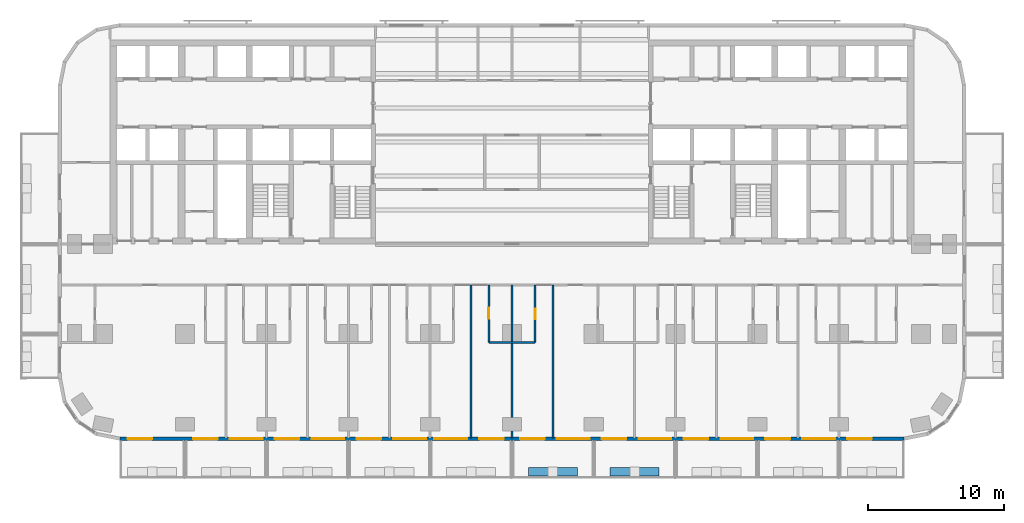
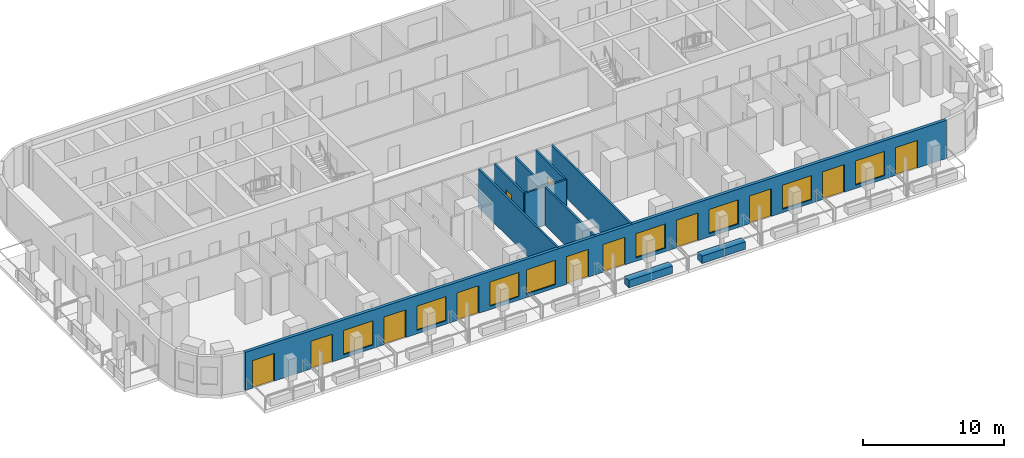
# One storey, part 5 of 15: 12 doors, 9 walls, 8 windows, 20 openings.
"""IFC4 building model written with IfcOpenShell, lengths in metres."""

from ifc_helpers import new_model, si_unit, direction, frame, frame_2d, origin, place, context, subcontext, project, spatial, rectangle, extrude, material, layer, layer_set, type_object, element, fill, save


model = new_model("IFC4")

# Units and contexts
model_context = context("Model", 3, precision=1e-05, world=origin(), true_north=direction((0.0, 1.0)))
body_context = subcontext(model_context, "Body", "Model", "MODEL_VIEW")
ifc_project = project(units=[si_unit("LENGTHUNIT", "METRE"), si_unit("AREAUNIT", "SQUARE_METRE"), si_unit("VOLUMEUNIT", "CUBIC_METRE"), si_unit("PLANEANGLEUNIT", "RADIAN"), si_unit("MASSUNIT", "GRAM", prefix="KILO")], contexts=[model_context])

# Site, building, storey
site_placement = place(None, origin())
site = spatial("IfcSite", under=ifc_project, at=site_placement, CompositionType="ELEMENT")
building_placement = place(site_placement, origin())
building = spatial("IfcBuilding", under=site, at=building_placement, Name="Torana Hotel and Residences", CompositionType="ELEMENT")
storey_placement = place(building_placement, frame((0.0, 0.0, 42.0)))
storey = spatial("IfcBuildingStorey", under=building, at=storey_placement, Name="L09", CompositionType="ELEMENT", Elevation=42.0)

# Wall, openings, doors, windows
ifc_material_1 = material(Name="Black aluminium composite panel", Category="aluminium")
ifc_layer_1 = layer(ifc_material_1, 0.00390625, Name="Cladding", Category="cladding")
ifc_material_2 = material(Name="Ventilated air cavity")
ifc_layer_2 = layer(ifc_material_2, 0.0400390625, Name="Ventilated cavity", Category="cavity")
ifc_material_3 = material(Name="Mineral wool insulation")
ifc_layer_3 = layer(ifc_material_3, 0.090087890625, Name="Insulation", Category="insulation")
ifc_material_4 = material(Name="Steel S280GD", Category="steel")
ifc_layer_4 = layer(ifc_material_4, 0.092041015625, Name="Steel stud frame", Category="structure")
ifc_material_5 = material(Name="Fire rated plasterboard")
ifc_layer_5 = layer(ifc_material_5, 0.011962890625, Name="Inner board", Category="finish")
ifc_layer_6 = layer(ifc_material_5, 0.011962890625, Name="Second board", Category="finish")
ifc_layer_set_1 = layer_set([ifc_layer_1, ifc_layer_2, ifc_layer_3, ifc_layer_4, ifc_layer_5, ifc_layer_6], Name="EW1 EXTERNAL WALL BLACK METAL CLAD 250")
wall_type_1 = type_object("IfcWallType", Name="EW1 EXTERNAL WALL BLACK METAL CLAD 250", PredefinedType="SOLIDWALL", material=ifc_layer_set_1)
wall_1_placement = place(storey_placement, frame((-28.775390625, -29.27490234375, 0.0), z_axis=(0.0, 0.0, 1.0), x_axis=(1.0, 0.0, 0.0)))
wall_1 = element("IfcWall", 1, at=wall_1_placement, inside=storey, type_object=wall_type_1, Name="External wall L09 e0.14", PredefinedType="SOLIDWALL", context=body_context, shape_type="SweptSolid", body=[
    extrude(rectangle(XDim=57.55078125, YDim=0.25, at=frame_2d((28.775390625, 0.0))), origin(), (0.0, 0.0, 1.0), 3.320068359375),
])
opening_1_placement = place(wall_1_placement, frame((0.575439453125, 0.0, 0.0)))
opening_1 = element("IfcOpeningElement", 2, at=opening_1_placement, cuts=wall_1, Name="Opening L09-E01", PredefinedType="OPENING", context=body_context, shape_type="SweptSolid", body=[
    extrude(rectangle(XDim=1.800048828125, YDim=2.39990234375, at=frame_2d((0.89990234375, 1.199951171875))), frame((0.0, 0.135009765625, 0.0), z_axis=(0.0, -1.0, 0.0), x_axis=(1.0, 0.0, 0.0)), (0.0, 0.0, 1.0), 0.27001953125),
])
opening_2_placement = place(wall_1_placement, frame((5.37548828125, 0.0, 0.0)))
opening_2 = element("IfcOpeningElement", 3, at=opening_2_placement, cuts=wall_1, Name="Opening L09-E02", PredefinedType="OPENING", context=body_context, shape_type="SweptSolid", body=[
    extrude(rectangle(XDim=1.800048828125, YDim=2.39990234375, at=frame_2d((0.89990234375, 1.199951171875))), frame((0.0, 0.135009765625, 0.0), z_axis=(0.0, -1.0, 0.0), x_axis=(1.0, 0.0, 0.0)), (0.0, 0.0, 1.0), 0.27001953125),
])
opening_3_placement = place(wall_1_placement, frame((8.075439453125, 0.0, 0.300048828125)))
opening_3 = element("IfcOpeningElement", 4, at=opening_3_placement, cuts=wall_1, Name="Opening W1", PredefinedType="OPENING", context=body_context, shape_type="SweptSolid", body=[
    extrude(rectangle(XDim=2.39990234375, YDim=2.10009765625, at=frame_2d((1.199951171875, 1.050048828125))), frame((0.0, 0.135009765625, 0.0), z_axis=(0.0, -1.0, 0.0), x_axis=(1.0, 0.0, 0.0)), (0.0, 0.0, 1.0), 0.27001953125),
])
opening_4_placement = place(wall_1_placement, frame((11.37548828125, 0.0, 0.0)))
opening_4 = element("IfcOpeningElement", 5, at=opening_4_placement, cuts=wall_1, Name="Opening L09-E03", PredefinedType="OPENING", context=body_context, shape_type="SweptSolid", body=[
    extrude(rectangle(XDim=1.800048828125, YDim=2.39990234375, at=frame_2d((0.89990234375, 1.199951171875))), frame((0.0, 0.135009765625, 0.0), z_axis=(0.0, -1.0, 0.0), x_axis=(1.0, 0.0, 0.0)), (0.0, 0.0, 1.0), 0.27001953125),
])
opening_5_placement = place(wall_1_placement, frame((14.075439453125, 0.0, 0.300048828125)))
opening_5 = element("IfcOpeningElement", 6, at=opening_5_placement, cuts=wall_1, Name="Opening W1", PredefinedType="OPENING", context=body_context, shape_type="SweptSolid", body=[
    extrude(rectangle(XDim=2.39990234375, YDim=2.10009765625, at=frame_2d((1.199951171875, 1.050048828125))), frame((0.0, 0.135009765625, 0.0), z_axis=(0.0, -1.0, 0.0), x_axis=(1.0, 0.0, 0.0)), (0.0, 0.0, 1.0), 0.27001953125),
])
opening_6_placement = place(wall_1_placement, frame((17.37548828125, 0.0, 0.0)))
opening_6 = element("IfcOpeningElement", 7, at=opening_6_placement, cuts=wall_1, Name="Opening L09-E04", PredefinedType="OPENING", context=body_context, shape_type="SweptSolid", body=[
    extrude(rectangle(XDim=1.800048828125, YDim=2.39990234375, at=frame_2d((0.89990234375, 1.199951171875))), frame((0.0, 0.135009765625, 0.0), z_axis=(0.0, -1.0, 0.0), x_axis=(1.0, 0.0, 0.0)), (0.0, 0.0, 1.0), 0.27001953125),
])
opening_7_placement = place(wall_1_placement, frame((20.075439453125, 0.0, 0.300048828125)))
opening_7 = element("IfcOpeningElement", 8, at=opening_7_placement, cuts=wall_1, Name="Opening W1", PredefinedType="OPENING", context=body_context, shape_type="SweptSolid", body=[
    extrude(rectangle(XDim=2.39990234375, YDim=2.10009765625, at=frame_2d((1.199951171875, 1.050048828125))), frame((0.0, 0.135009765625, 0.0), z_axis=(0.0, -1.0, 0.0), x_axis=(1.0, 0.0, 0.0)), (0.0, 0.0, 1.0), 0.27001953125),
])
opening_8_placement = place(wall_1_placement, frame((23.075439453125, 0.0, 0.300048828125)))
opening_8 = element("IfcOpeningElement", 9, at=opening_8_placement, cuts=wall_1, Name="Opening W1", PredefinedType="OPENING", context=body_context, shape_type="SweptSolid", body=[
    extrude(rectangle(XDim=2.39990234375, YDim=2.10009765625, at=frame_2d((1.199951171875, 1.050048828125))), frame((0.0, 0.135009765625, 0.0), z_axis=(0.0, -1.0, 0.0), x_axis=(1.0, 0.0, 0.0)), (0.0, 0.0, 1.0), 0.27001953125),
])
opening_9_placement = place(wall_1_placement, frame((26.37548828125, 0.0, 0.0)))
opening_9 = element("IfcOpeningElement", 10, at=opening_9_placement, cuts=wall_1, Name="Opening L09-E05", PredefinedType="OPENING", context=body_context, shape_type="SweptSolid", body=[
    extrude(rectangle(XDim=1.800048828125, YDim=2.39990234375, at=frame_2d((0.89990234375, 1.199951171875))), frame((0.0, 0.135009765625, 0.0), z_axis=(0.0, -1.0, 0.0), x_axis=(1.0, 0.0, 0.0)), (0.0, 0.0, 1.0), 0.27001953125),
])
opening_10_placement = place(wall_1_placement, frame((29.37548828125, 0.0, 0.0)))
opening_10 = element("IfcOpeningElement", 11, at=opening_10_placement, cuts=wall_1, Name="Opening L09-E06", PredefinedType="OPENING", context=body_context, shape_type="SweptSolid", body=[
    extrude(rectangle(XDim=1.800048828125, YDim=2.39990234375, at=frame_2d((0.89990234375, 1.199951171875))), frame((0.0, 0.135009765625, 0.0), z_axis=(0.0, -1.0, 0.0), x_axis=(1.0, 0.0, 0.0)), (0.0, 0.0, 1.0), 0.27001953125),
])
opening_11_placement = place(wall_1_placement, frame((32.075439453125, 0.0, 0.300048828125)))
opening_11 = element("IfcOpeningElement", 12, at=opening_11_placement, cuts=wall_1, Name="Opening W1", PredefinedType="OPENING", context=body_context, shape_type="SweptSolid", body=[
    extrude(rectangle(XDim=2.39990234375, YDim=2.10009765625, at=frame_2d((1.199951171875, 1.050048828125))), frame((0.0, 0.135009765625, 0.0), z_axis=(0.0, -1.0, 0.0), x_axis=(1.0, 0.0, 0.0)), (0.0, 0.0, 1.0), 0.27001953125),
])
opening_12_placement = place(wall_1_placement, frame((35.37548828125, 0.0, 0.0)))
opening_12 = element("IfcOpeningElement", 13, at=opening_12_placement, cuts=wall_1, Name="Opening L09-E07", PredefinedType="OPENING", context=body_context, shape_type="SweptSolid", body=[
    extrude(rectangle(XDim=1.800048828125, YDim=2.39990234375, at=frame_2d((0.89990234375, 1.199951171875))), frame((0.0, 0.135009765625, 0.0), z_axis=(0.0, -1.0, 0.0), x_axis=(1.0, 0.0, 0.0)), (0.0, 0.0, 1.0), 0.27001953125),
])
opening_13_placement = place(wall_1_placement, frame((38.075439453125, 0.0, 0.300048828125)))
opening_13 = element("IfcOpeningElement", 14, at=opening_13_placement, cuts=wall_1, Name="Opening W1", PredefinedType="OPENING", context=body_context, shape_type="SweptSolid", body=[
    extrude(rectangle(XDim=2.39990234375, YDim=2.10009765625, at=frame_2d((1.199951171875, 1.050048828125))), frame((0.0, 0.135009765625, 0.0), z_axis=(0.0, -1.0, 0.0), x_axis=(1.0, 0.0, 0.0)), (0.0, 0.0, 1.0), 0.27001953125),
])
opening_14_placement = place(wall_1_placement, frame((41.37548828125, 0.0, 0.0)))
opening_14 = element("IfcOpeningElement", 15, at=opening_14_placement, cuts=wall_1, Name="Opening L09-E08", PredefinedType="OPENING", context=body_context, shape_type="SweptSolid", body=[
    extrude(rectangle(XDim=1.800048828125, YDim=2.39990234375, at=frame_2d((0.89990234375, 1.199951171875))), frame((0.0, 0.135009765625, 0.0), z_axis=(0.0, -1.0, 0.0), x_axis=(1.0, 0.0, 0.0)), (0.0, 0.0, 1.0), 0.27001953125),
])
opening_15_placement = place(wall_1_placement, frame((44.075439453125, 0.0, 0.300048828125)))
opening_15 = element("IfcOpeningElement", 16, at=opening_15_placement, cuts=wall_1, Name="Opening W1", PredefinedType="OPENING", context=body_context, shape_type="SweptSolid", body=[
    extrude(rectangle(XDim=2.39990234375, YDim=2.10009765625, at=frame_2d((1.199951171875, 1.050048828125))), frame((0.0, 0.135009765625, 0.0), z_axis=(0.0, -1.0, 0.0), x_axis=(1.0, 0.0, 0.0)), (0.0, 0.0, 1.0), 0.27001953125),
])
opening_16_placement = place(wall_1_placement, frame((47.37548828125, 0.0, 0.0)))
opening_16 = element("IfcOpeningElement", 17, at=opening_16_placement, cuts=wall_1, Name="Opening L09-E09", PredefinedType="OPENING", context=body_context, shape_type="SweptSolid", body=[
    extrude(rectangle(XDim=1.800048828125, YDim=2.39990234375, at=frame_2d((0.89990234375, 1.199951171875))), frame((0.0, 0.135009765625, 0.0), z_axis=(0.0, -1.0, 0.0), x_axis=(1.0, 0.0, 0.0)), (0.0, 0.0, 1.0), 0.27001953125),
])
opening_17_placement = place(wall_1_placement, frame((50.075439453125, 0.0, 0.300048828125)))
opening_17 = element("IfcOpeningElement", 18, at=opening_17_placement, cuts=wall_1, Name="Opening W1", PredefinedType="OPENING", context=body_context, shape_type="SweptSolid", body=[
    extrude(rectangle(XDim=2.39990234375, YDim=2.10009765625, at=frame_2d((1.199951171875, 1.050048828125))), frame((0.0, 0.135009765625, 0.0), z_axis=(0.0, -1.0, 0.0), x_axis=(1.0, 0.0, 0.0)), (0.0, 0.0, 1.0), 0.27001953125),
])
opening_18_placement = place(wall_1_placement, frame((53.37548828125, 0.0, 0.0)))
opening_18 = element("IfcOpeningElement", 19, at=opening_18_placement, cuts=wall_1, Name="Opening L09-E10", PredefinedType="OPENING", context=body_context, shape_type="SweptSolid", body=[
    extrude(rectangle(XDim=1.800048828125, YDim=2.39990234375, at=frame_2d((0.89990234375, 1.199951171875))), frame((0.0, 0.135009765625, 0.0), z_axis=(0.0, -1.0, 0.0), x_axis=(1.0, 0.0, 0.0)), (0.0, 0.0, 1.0), 0.27001953125),
])
ifc_material_6 = material(Name="Dark glass in black aluminium frame", Category="aluminium")
door_type_1 = type_object("IfcDoorType", Name="DB1 BALCONY DOOR 1800x2400", OperationType="DOUBLE_DOOR_SINGLE_SWING", PredefinedType="DOOR", material=ifc_material_6)
door_1_placement = place(opening_1_placement, origin())
door_1 = element("IfcDoor", 20, at=door_1_placement, inside=storey, type_object=door_type_1, Name="Balcony door L09", OperationType="DOUBLE_DOOR_SINGLE_SWING", OverallHeight=2.39990234375, OverallWidth=1.800048828125, PredefinedType="DOOR", context=body_context, shape_type="SweptSolid", body=[
    extrude(rectangle(XDim=1.800048828125, YDim=2.39990234375, at=frame_2d((0.89990234375, 1.199951171875))), frame((0.0, 0.02490234375, 0.0), z_axis=(0.0, -1.0, 0.0), x_axis=(1.0, 0.0, 0.0)), (0.0, 0.0, 1.0), 0.050048828125),
])
fill(opening_1, door_1)
door_2_placement = place(opening_2_placement, frame((0.89990234375, 0.0, 0.0), z_axis=(0.0, 0.0, 1.0), x_axis=(-1.0, 0.0, 0.0)))
door_2 = element("IfcDoor", 21, at=door_2_placement, inside=storey, type_object=door_type_1, Name="Balcony door L09", OperationType="DOUBLE_DOOR_SINGLE_SWING", OverallHeight=2.39990234375, OverallWidth=1.800048828125, PredefinedType="DOOR", context=body_context, shape_type="SweptSolid", body=[
    extrude(rectangle(XDim=1.800048828125, YDim=2.39990234375, at=frame_2d((0.0, 1.199951171875))), frame((0.0, -0.02490234375, 0.0), z_axis=(0.0, 1.0, 0.0), x_axis=(-1.0, 0.0, 0.0)), (0.0, 0.0, 1.0), 0.050048828125),
])
fill(opening_2, door_2)
door_3_placement = place(opening_4_placement, frame((0.89990234375, 0.0, 0.0), z_axis=(0.0, 0.0, 1.0), x_axis=(-1.0, 0.0, 0.0)))
door_3 = element("IfcDoor", 22, at=door_3_placement, inside=storey, type_object=door_type_1, Name="Balcony door L09", OperationType="DOUBLE_DOOR_SINGLE_SWING", OverallHeight=2.39990234375, OverallWidth=1.800048828125, PredefinedType="DOOR", context=body_context, shape_type="SweptSolid", body=[
    extrude(rectangle(XDim=1.800048828125, YDim=2.39990234375, at=frame_2d((0.0, 1.199951171875))), frame((0.0, -0.02490234375, 0.0), z_axis=(0.0, 1.0, 0.0), x_axis=(-1.0, 0.0, 0.0)), (0.0, 0.0, 1.0), 0.050048828125),
])
fill(opening_4, door_3)
door_4_placement = place(opening_6_placement, frame((0.89990234375, 0.0, 0.0), z_axis=(0.0, 0.0, 1.0), x_axis=(-1.0, 0.0, 0.0)))
door_4 = element("IfcDoor", 23, at=door_4_placement, inside=storey, type_object=door_type_1, Name="Balcony door L09", OperationType="DOUBLE_DOOR_SINGLE_SWING", OverallHeight=2.39990234375, OverallWidth=1.800048828125, PredefinedType="DOOR", context=body_context, shape_type="SweptSolid", body=[
    extrude(rectangle(XDim=1.800048828125, YDim=2.39990234375, at=frame_2d((0.0, 1.199951171875))), frame((0.0, -0.02490234375, 0.0), z_axis=(0.0, 1.0, 0.0), x_axis=(-1.0, 0.0, 0.0)), (0.0, 0.0, 1.0), 0.050048828125),
])
fill(opening_6, door_4)
door_5_placement = place(opening_9_placement, frame((0.89990234375, 0.0, 0.0), z_axis=(0.0, 0.0, 1.0), x_axis=(-1.0, 0.0, 0.0)))
door_5 = element("IfcDoor", 24, at=door_5_placement, inside=storey, type_object=door_type_1, Name="Balcony door L09", OperationType="DOUBLE_DOOR_SINGLE_SWING", OverallHeight=2.39990234375, OverallWidth=1.800048828125, PredefinedType="DOOR", context=body_context, shape_type="SweptSolid", body=[
    extrude(rectangle(XDim=1.800048828125, YDim=2.39990234375, at=frame_2d((0.0, 1.199951171875))), frame((0.0, -0.02490234375, 0.0), z_axis=(0.0, 1.0, 0.0), x_axis=(-1.0, 0.0, 0.0)), (0.0, 0.0, 1.0), 0.050048828125),
])
fill(opening_9, door_5)
door_6_placement = place(opening_10_placement, frame((0.89990234375, 0.0, 0.0), z_axis=(0.0, 0.0, 1.0), x_axis=(-1.0, 0.0, 0.0)))
door_6 = element("IfcDoor", 25, at=door_6_placement, inside=storey, type_object=door_type_1, Name="Balcony door L09", OperationType="DOUBLE_DOOR_SINGLE_SWING", OverallHeight=2.39990234375, OverallWidth=1.800048828125, PredefinedType="DOOR", context=body_context, shape_type="SweptSolid", body=[
    extrude(rectangle(XDim=1.800048828125, YDim=2.39990234375, at=frame_2d((0.0, 1.199951171875))), frame((0.0, -0.02490234375, 0.0), z_axis=(0.0, 1.0, 0.0), x_axis=(-1.0, 0.0, 0.0)), (0.0, 0.0, 1.0), 0.050048828125),
])
fill(opening_10, door_6)
door_7_placement = place(opening_12_placement, frame((0.89990234375, 0.0, 0.0), z_axis=(0.0, 0.0, 1.0), x_axis=(-1.0, 0.0, 0.0)))
door_7 = element("IfcDoor", 26, at=door_7_placement, inside=storey, type_object=door_type_1, Name="Balcony door L09", OperationType="DOUBLE_DOOR_SINGLE_SWING", OverallHeight=2.39990234375, OverallWidth=1.800048828125, PredefinedType="DOOR", context=body_context, shape_type="SweptSolid", body=[
    extrude(rectangle(XDim=1.800048828125, YDim=2.39990234375, at=frame_2d((0.0, 1.199951171875))), frame((0.0, -0.02490234375, 0.0), z_axis=(0.0, 1.0, 0.0), x_axis=(-1.0, 0.0, 0.0)), (0.0, 0.0, 1.0), 0.050048828125),
])
fill(opening_12, door_7)
door_8_placement = place(opening_14_placement, frame((0.89990234375, 0.0, 0.0), z_axis=(0.0, 0.0, 1.0), x_axis=(-1.0, 0.0, 0.0)))
door_8 = element("IfcDoor", 27, at=door_8_placement, inside=storey, type_object=door_type_1, Name="Balcony door L09", OperationType="DOUBLE_DOOR_SINGLE_SWING", OverallHeight=2.39990234375, OverallWidth=1.800048828125, PredefinedType="DOOR", context=body_context, shape_type="SweptSolid", body=[
    extrude(rectangle(XDim=1.800048828125, YDim=2.39990234375, at=frame_2d((0.0, 1.199951171875))), frame((0.0, -0.02490234375, 0.0), z_axis=(0.0, 1.0, 0.0), x_axis=(-1.0, 0.0, 0.0)), (0.0, 0.0, 1.0), 0.050048828125),
])
fill(opening_14, door_8)
door_9_placement = place(opening_16_placement, frame((0.89990234375, 0.0, 0.0), z_axis=(0.0, 0.0, 1.0), x_axis=(-1.0, 0.0, 0.0)))
door_9 = element("IfcDoor", 28, at=door_9_placement, inside=storey, type_object=door_type_1, Name="Balcony door L09", OperationType="DOUBLE_DOOR_SINGLE_SWING", OverallHeight=2.39990234375, OverallWidth=1.800048828125, PredefinedType="DOOR", context=body_context, shape_type="SweptSolid", body=[
    extrude(rectangle(XDim=1.800048828125, YDim=2.39990234375, at=frame_2d((0.0, 1.199951171875))), frame((0.0, -0.02490234375, 0.0), z_axis=(0.0, 1.0, 0.0), x_axis=(-1.0, 0.0, 0.0)), (0.0, 0.0, 1.0), 0.050048828125),
])
fill(opening_16, door_9)
door_10_placement = place(opening_18_placement, frame((0.89990234375, 0.0, 0.0), z_axis=(0.0, 0.0, 1.0), x_axis=(-1.0, 0.0, 0.0)))
door_10 = element("IfcDoor", 29, at=door_10_placement, inside=storey, type_object=door_type_1, Name="Balcony door L09", OperationType="DOUBLE_DOOR_SINGLE_SWING", OverallHeight=2.39990234375, OverallWidth=1.800048828125, PredefinedType="DOOR", context=body_context, shape_type="SweptSolid", body=[
    extrude(rectangle(XDim=1.800048828125, YDim=2.39990234375, at=frame_2d((0.0, 1.199951171875))), frame((0.0, -0.02490234375, 0.0), z_axis=(0.0, 1.0, 0.0), x_axis=(-1.0, 0.0, 0.0)), (0.0, 0.0, 1.0), 0.050048828125),
])
fill(opening_18, door_10)
ifc_material_7 = material(Name="Dark glass in black aluminium frame", Category="aluminium")
window_type = type_object("IfcWindowType", Name="W1 HOTEL ROOM WINDOW 2400x2100", PartitioningType="SINGLE_PANEL", PredefinedType="WINDOW", material=ifc_material_7)
window_1_placement = place(opening_3_placement, origin())
window_1 = element("IfcWindow", 30, at=window_1_placement, inside=storey, type_object=window_type, Name="Window L09", OverallHeight=2.10009765625, OverallWidth=2.39990234375, PartitioningType="SINGLE_PANEL", PredefinedType="WINDOW", context=body_context, shape_type="SweptSolid", body=[
    extrude(rectangle(XDim=2.39990234375, YDim=2.10009765625, at=frame_2d((1.199951171875, 1.050048828125))), frame((0.0, 0.030029296875, 0.0), z_axis=(0.0, -1.0, 0.0), x_axis=(1.0, 0.0, 0.0)), (0.0, 0.0, 1.0), 0.06005859375),
])
fill(opening_3, window_1)
window_2_placement = place(opening_5_placement, origin())
window_2 = element("IfcWindow", 31, at=window_2_placement, inside=storey, type_object=window_type, Name="Window L09", OverallHeight=2.10009765625, OverallWidth=2.39990234375, PartitioningType="SINGLE_PANEL", PredefinedType="WINDOW", context=body_context, shape_type="SweptSolid", body=[
    extrude(rectangle(XDim=2.39990234375, YDim=2.10009765625, at=frame_2d((1.199951171875, 1.050048828125))), frame((0.0, 0.030029296875, 0.0), z_axis=(0.0, -1.0, 0.0), x_axis=(1.0, 0.0, 0.0)), (0.0, 0.0, 1.0), 0.06005859375),
])
fill(opening_5, window_2)
window_3_placement = place(opening_7_placement, origin())
window_3 = element("IfcWindow", 32, at=window_3_placement, inside=storey, type_object=window_type, Name="Window L09", OverallHeight=2.10009765625, OverallWidth=2.39990234375, PartitioningType="SINGLE_PANEL", PredefinedType="WINDOW", context=body_context, shape_type="SweptSolid", body=[
    extrude(rectangle(XDim=2.39990234375, YDim=2.10009765625, at=frame_2d((1.199951171875, 1.050048828125))), frame((0.0, 0.030029296875, 0.0), z_axis=(0.0, -1.0, 0.0), x_axis=(1.0, 0.0, 0.0)), (0.0, 0.0, 1.0), 0.06005859375),
])
fill(opening_7, window_3)
window_4_placement = place(opening_8_placement, origin())
window_4 = element("IfcWindow", 33, at=window_4_placement, inside=storey, type_object=window_type, Name="Window L09", OverallHeight=2.10009765625, OverallWidth=2.39990234375, PartitioningType="SINGLE_PANEL", PredefinedType="WINDOW", context=body_context, shape_type="SweptSolid", body=[
    extrude(rectangle(XDim=2.39990234375, YDim=2.10009765625, at=frame_2d((1.199951171875, 1.050048828125))), frame((0.0, 0.030029296875, 0.0), z_axis=(0.0, -1.0, 0.0), x_axis=(1.0, 0.0, 0.0)), (0.0, 0.0, 1.0), 0.06005859375),
])
fill(opening_8, window_4)
window_5_placement = place(opening_11_placement, origin())
window_5 = element("IfcWindow", 34, at=window_5_placement, inside=storey, type_object=window_type, Name="Window L09", OverallHeight=2.10009765625, OverallWidth=2.39990234375, PartitioningType="SINGLE_PANEL", PredefinedType="WINDOW", context=body_context, shape_type="SweptSolid", body=[
    extrude(rectangle(XDim=2.39990234375, YDim=2.10009765625, at=frame_2d((1.199951171875, 1.050048828125))), frame((0.0, 0.030029296875, 0.0), z_axis=(0.0, -1.0, 0.0), x_axis=(1.0, 0.0, 0.0)), (0.0, 0.0, 1.0), 0.06005859375),
])
fill(opening_11, window_5)
window_6_placement = place(opening_13_placement, origin())
window_6 = element("IfcWindow", 35, at=window_6_placement, inside=storey, type_object=window_type, Name="Window L09", OverallHeight=2.10009765625, OverallWidth=2.39990234375, PartitioningType="SINGLE_PANEL", PredefinedType="WINDOW", context=body_context, shape_type="SweptSolid", body=[
    extrude(rectangle(XDim=2.39990234375, YDim=2.10009765625, at=frame_2d((1.199951171875, 1.050048828125))), frame((0.0, 0.030029296875, 0.0), z_axis=(0.0, -1.0, 0.0), x_axis=(1.0, 0.0, 0.0)), (0.0, 0.0, 1.0), 0.06005859375),
])
fill(opening_13, window_6)
window_7_placement = place(opening_15_placement, origin())
window_7 = element("IfcWindow", 36, at=window_7_placement, inside=storey, type_object=window_type, Name="Window L09", OverallHeight=2.10009765625, OverallWidth=2.39990234375, PartitioningType="SINGLE_PANEL", PredefinedType="WINDOW", context=body_context, shape_type="SweptSolid", body=[
    extrude(rectangle(XDim=2.39990234375, YDim=2.10009765625, at=frame_2d((1.199951171875, 1.050048828125))), frame((0.0, 0.030029296875, 0.0), z_axis=(0.0, -1.0, 0.0), x_axis=(1.0, 0.0, 0.0)), (0.0, 0.0, 1.0), 0.06005859375),
])
fill(opening_15, window_7)
window_8_placement = place(opening_17_placement, origin())
window_8 = element("IfcWindow", 37, at=window_8_placement, inside=storey, type_object=window_type, Name="Window L09", OverallHeight=2.10009765625, OverallWidth=2.39990234375, PartitioningType="SINGLE_PANEL", PredefinedType="WINDOW", context=body_context, shape_type="SweptSolid", body=[
    extrude(rectangle(XDim=2.39990234375, YDim=2.10009765625, at=frame_2d((1.199951171875, 1.050048828125))), frame((0.0, 0.030029296875, 0.0), z_axis=(0.0, -1.0, 0.0), x_axis=(1.0, 0.0, 0.0)), (0.0, 0.0, 1.0), 0.06005859375),
])
fill(opening_17, window_8)

# Wall
ifc_material_8 = material(Name="Gypsum plasterboard")
ifc_layer_7 = layer(ifc_material_8, 0.012451171875, Name="Plasterboard", Category="finish")
ifc_layer_8 = layer(ifc_material_8, 0.012451171875, Name="Plasterboard", Category="finish")
ifc_layer_9 = layer(ifc_material_4, 0.10009765625, Name="Steel studs with mineral wool", Category="insulation")
ifc_layer_10 = layer(ifc_material_8, 0.012451171875, Name="Plasterboard", Category="finish")
ifc_layer_11 = layer(ifc_material_8, 0.012451171875, Name="Plasterboard", Category="finish")
ifc_layer_set_2 = layer_set([ifc_layer_7, ifc_layer_8, ifc_layer_9, ifc_layer_10, ifc_layer_11], Name="PARTITION 150 PLASTERBOARD")
wall_type_2 = type_object("IfcWallType", Name="PARTITION 150 PLASTERBOARD", PredefinedType="PARTITIONING", material=ifc_layer_set_2)
wall_2_placement = place(storey_placement, frame((3.0, -29.219970703125, 0.0), z_axis=(0.0, 0.0, 1.0), x_axis=(0.0, 1.0, 0.0)))
element("IfcWall", 38, at=wall_2_placement, inside=storey, type_object=wall_type_2, Name="Partition L09", PredefinedType="PARTITIONING", context=body_context, shape_type="SweptSolid", body=[
    extrude(rectangle(XDim=11.219970703125, YDim=0.14990234375, at=frame_2d((5.60986328125, 0.0))), origin(), (0.0, 0.0, 1.0), 3.320068359375),
])

# Wall, opening, door
wall_3_placement = place(storey_placement, frame((1.699951171875, -22.199951171875, 0.0), z_axis=(0.0, 0.0, 1.0), x_axis=(0.0, 1.0, 0.0)))
wall_3 = element("IfcWall", 39, at=wall_3_placement, inside=storey, type_object=wall_type_2, Name="Partition L09", PredefinedType="PARTITIONING", context=body_context, shape_type="SweptSolid", body=[
    extrude(rectangle(XDim=4.199951171875, YDim=0.14990234375, at=frame_2d((2.10009765625, 0.0))), origin(), (0.0, 0.0, 1.0), 3.320068359375),
])
opening_19_placement = place(wall_3_placement, frame((1.679931640625, 0.0, 0.0)))
opening_19 = element("IfcOpeningElement", 40, at=opening_19_placement, cuts=wall_3, Name="Opening L09-73", PredefinedType="OPENING", context=body_context, shape_type="SweptSolid", body=[
    extrude(rectangle(XDim=0.800048828125, YDim=2.10009765625, at=frame_2d((0.39990234375, 1.050048828125))), frame((0.0, 0.0849609375, 0.0), z_axis=(0.0, -1.0, 0.0), x_axis=(1.0, 0.0, 0.0)), (0.0, 0.0, 1.0), 0.169921875),
])
ifc_material_9 = material(Name="Timber door, painted", Category="wood")
door_type_2 = type_object("IfcDoorType", Name="BATH DOOR D13 800x2100", OperationType="SINGLE_SWING_LEFT", PredefinedType="DOOR", material=ifc_material_9)
door_11_placement = place(opening_19_placement, origin())
door_11 = element("IfcDoor", 41, at=door_11_placement, inside=storey, type_object=door_type_2, Name="Door L09", OperationType="SINGLE_SWING_RIGHT", OverallHeight=2.10009765625, OverallWidth=0.800048828125, PredefinedType="DOOR", context=body_context, shape_type="SweptSolid", body=[
    extrude(rectangle(XDim=0.800048828125, YDim=2.10009765625, at=frame_2d((0.39990234375, 1.050048828125))), frame((0.0, 0.02490234375, 0.0), z_axis=(0.0, -1.0, 0.0), x_axis=(1.0, 0.0, 0.0)), (0.0, 0.0, 1.0), 0.050048828125),
])
fill(opening_19, door_11)

# Wall
wall_4_placement = place(storey_placement, frame((0.0, -29.219970703125, 0.0), z_axis=(0.0, 0.0, 1.0), x_axis=(0.0, 1.0, 0.0)))
element("IfcWall", 42, at=wall_4_placement, inside=storey, type_object=wall_type_2, Name="Partition L09", PredefinedType="PARTITIONING", context=body_context, shape_type="SweptSolid", body=[
    extrude(rectangle(XDim=11.219970703125, YDim=0.14990234375, at=frame_2d((5.60986328125, 0.0))), origin(), (0.0, 0.0, 1.0), 3.320068359375),
])

# Wall, opening, door
wall_5_placement = place(storey_placement, frame((-1.699951171875, -22.199951171875, 0.0), z_axis=(0.0, 0.0, 1.0), x_axis=(0.0, 1.0, 0.0)))
wall_5 = element("IfcWall", 43, at=wall_5_placement, inside=storey, type_object=wall_type_2, Name="Partition L09", PredefinedType="PARTITIONING", context=body_context, shape_type="SweptSolid", body=[
    extrude(rectangle(XDim=4.199951171875, YDim=0.14990234375, at=frame_2d((2.10009765625, 0.0))), origin(), (0.0, 0.0, 1.0), 3.320068359375),
])
opening_20_placement = place(wall_5_placement, frame((1.719970703125, 0.0, 0.0)))
opening_20 = element("IfcOpeningElement", 44, at=opening_20_placement, cuts=wall_5, Name="Opening L09-72", PredefinedType="OPENING", context=body_context, shape_type="SweptSolid", body=[
    extrude(rectangle(XDim=0.800048828125, YDim=2.10009765625, at=frame_2d((0.39990234375, 1.050048828125))), frame((0.0, 0.0849609375, 0.0), z_axis=(0.0, -1.0, 0.0), x_axis=(1.0, 0.0, 0.0)), (0.0, 0.0, 1.0), 0.169921875),
])
door_12_placement = place(opening_20_placement, origin())
door_12 = element("IfcDoor", 45, at=door_12_placement, inside=storey, type_object=door_type_2, Name="Door L09", OperationType="SINGLE_SWING_RIGHT", OverallHeight=2.10009765625, OverallWidth=0.800048828125, PredefinedType="DOOR", context=body_context, shape_type="SweptSolid", body=[
    extrude(rectangle(XDim=0.800048828125, YDim=2.10009765625, at=frame_2d((0.39990234375, 1.050048828125))), frame((0.0, 0.02490234375, 0.0), z_axis=(0.0, -1.0, 0.0), x_axis=(1.0, 0.0, 0.0)), (0.0, 0.0, 1.0), 0.050048828125),
])
fill(opening_20, door_12)

# Walls
wall_6_placement = place(storey_placement, frame((-3.0, -29.219970703125, 0.0), z_axis=(0.0, 0.0, 1.0), x_axis=(0.0, 1.0, 0.0)))
element("IfcWall", 46, at=wall_6_placement, inside=storey, type_object=wall_type_2, Name="Partition L09", PredefinedType="PARTITIONING", context=body_context, shape_type="SweptSolid", body=[
    extrude(rectangle(XDim=11.219970703125, YDim=0.14990234375, at=frame_2d((5.60986328125, 0.0))), origin(), (0.0, 0.0, 1.0), 3.320068359375),
])
wall_7_placement = place(storey_placement, frame((-1.699951171875, -22.199951171875, 0.0), z_axis=(0.0, 0.0, 1.0), x_axis=(1.0, 0.0, 0.0)))
element("IfcWall", 47, at=wall_7_placement, inside=storey, type_object=wall_type_2, Name="Partition L09", PredefinedType="PARTITIONING", context=body_context, shape_type="SweptSolid", body=[
    extrude(rectangle(XDim=3.39990234375, YDim=0.14990234375, at=frame_2d((1.699951171875, 0.0))), origin(), (0.0, 0.0, 1.0), 3.320068359375),
])
ifc_material_10 = material(Name="Concrete C40/50 precast", Category="concrete")
ifc_layer_12 = layer(ifc_material_10, 0.10009765625, Name="Planter shell", Category="structure")
ifc_material_11 = material(Name="Root resistant membrane")
ifc_layer_13 = layer(ifc_material_11, 0.00390625, Name="Waterproofing membrane", Category="membrane")
ifc_material_12 = material(Name="Drainage board with filter fleece")
ifc_layer_14 = layer(ifc_material_12, 0.02001953125, Name="Drainage board", Category="drainage")
ifc_material_13 = material(Name="Growing medium")
ifc_layer_15 = layer(ifc_material_13, 0.47607421875, Name="Planting substrate", Category="soil")
ifc_layer_set_3 = layer_set([ifc_layer_12, ifc_layer_13, ifc_layer_14, ifc_layer_15], Name="PL1 BALCONY PLANTER 600")
wall_type_3 = type_object("IfcWallType", Name="PL1 BALCONY PLANTER 600", PredefinedType="USERDEFINED", material=ifc_layer_set_3)
for number, where, z_axis, x_axis, name in (
    (48, (4.800048828125, -31.699951171875, 0.0), (0.0, 0.0, 1.0), (-1.0, 0.0, 0.0), "Planter 06"),
    (49, (10.800048828125, -31.699951171875, 0.0), (0.0, 0.0, 1.0), (-1.0, 0.0, 0.0), "Planter 07"),
):
    element("IfcWall", number, at=place(storey_placement, frame(where, z_axis=z_axis, x_axis=x_axis)), inside=storey, type_object=wall_type_3, Name=name, ObjectType="PLANTER", PredefinedType="USERDEFINED", context=body_context, shape_type="SweptSolid", body=[
        extrude(rectangle(XDim=3.60009765625, YDim=0.60009765625, at=frame_2d((1.800048828125, 0.0))), origin(), (0.0, 0.0, 1.0), 0.64990234375),
    ])

save(model, "model.ifc")
